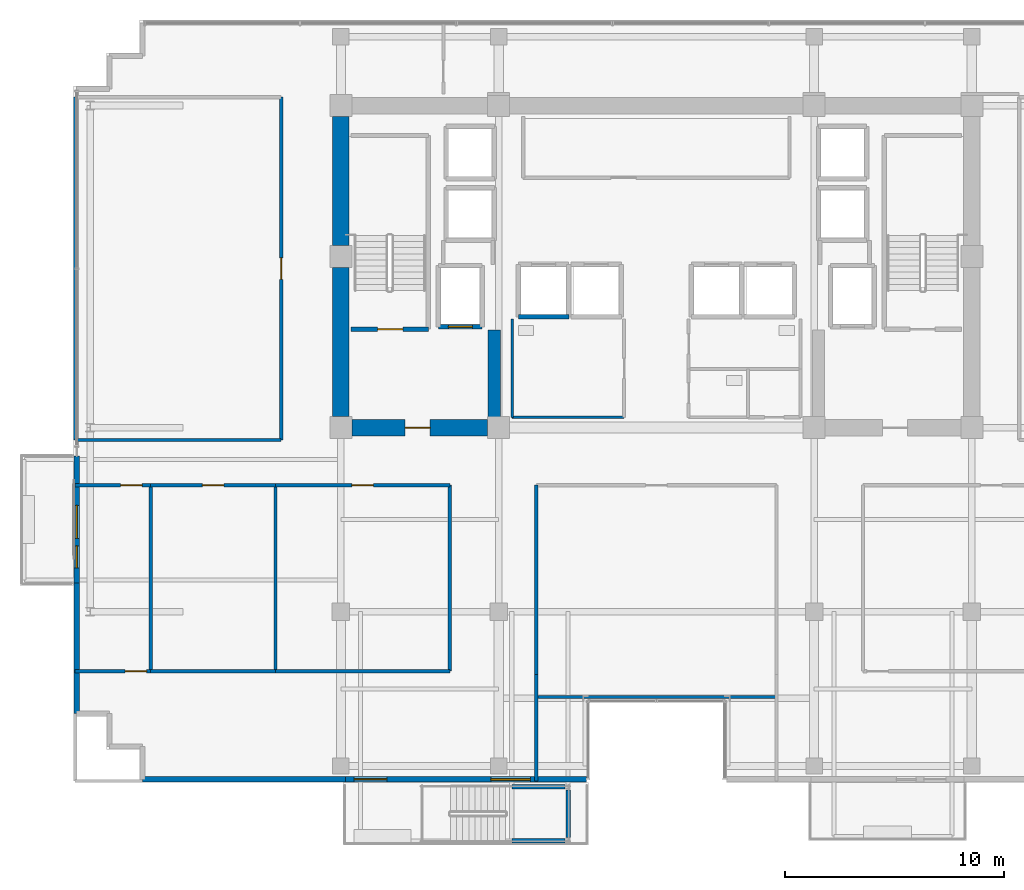
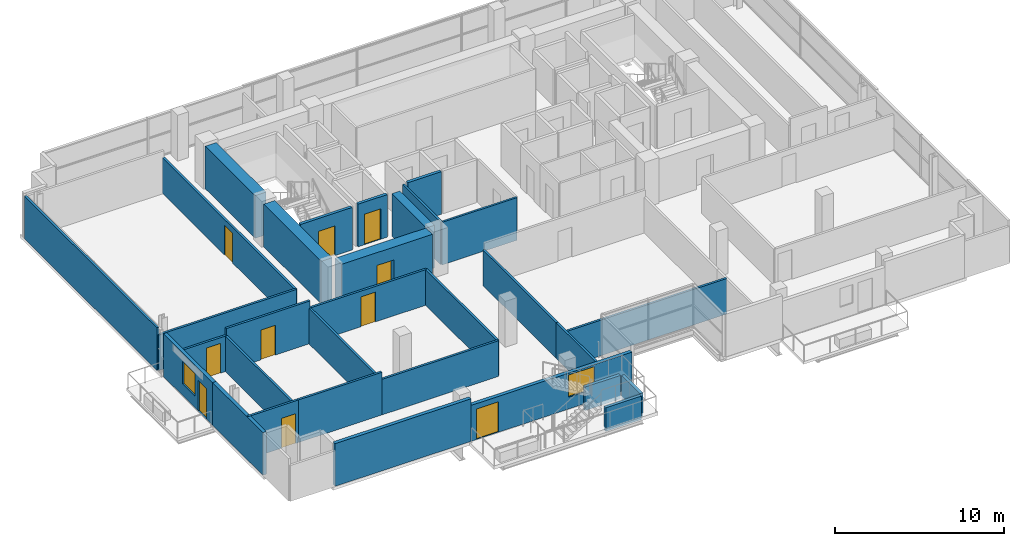
# One storey, part 16 of 23: 31 walls, 10 doors, 2 windows, 12 openings.
"""IFC4 building model written with IfcOpenShell, lengths in metres."""

import ifcopenshell
import ifcopenshell.guid

model = None  # the IFC model being written
_history = None  # IfcOwnerHistory: only IFC2X3 demands one
_inside = {}  # id of a spatial element -> (the spatial element, [elements in it])
_under = {}  # id of a project, library or spatial element -> (it, [spatial elements below it])
_declared = {}  # id of a project -> (the project, [libraries it declares])
_typed = {}  # id of a type object -> (the type object, [elements of that type])
_made_of = {}  # id of a material, layer set ... -> (it, [elements and type objects made of it])


def new_model(schema):
    """Start an empty IFC model of exactly this schema.

    Asked for "IFC4X3", IfcOpenShell would pick the latest addendum, in which some entities
    have other attributes; the version numbers below select the first issue.
    IFC2X3 requires an IfcOwnerHistory on every rooted entity: one is made here for all.
    """
    global model, _history
    if schema == "IFC4X3":
        model = ifcopenshell.file(schema_version=(4, 3, 0, 0))
    else:
        model = ifcopenshell.file(schema=schema)
    _inside.clear()
    _under.clear()
    _declared.clear()
    _typed.clear()
    _made_of.clear()
    _history = None
    if model.schema == "IFC2X3":
        org = make("IfcOrganization", Name="unknown")
        user = make(
            "IfcPersonAndOrganization",
            ThePerson=make("IfcPerson", FamilyName="unknown"),
            TheOrganization=org,
        )
        app = make(
            "IfcApplication",
            ApplicationDeveloper=org,
            Version="unknown",
            ApplicationFullName="unknown",
            ApplicationIdentifier="unknown",
        )
        _history = make(
            "IfcOwnerHistory",
            OwningUser=user,
            OwningApplication=app,
            ChangeAction="ADDED",
            CreationDate=0,
        )
    return model


def make(cls, **values):
    """One entity of the class cls with the attributes given. An attribute that is None is left unset."""
    return model.create_entity(
        cls, **{name: value for name, value in values.items() if value is not None}
    )


def rooted(cls, **values):
    """An entity with a GlobalId (a new one), such as an element, a storey or a relation."""
    return make(cls, GlobalId=ifcopenshell.guid.new(), OwnerHistory=_history, **values)


def si_unit(unit_type, name, prefix=None):
    """IfcSIUnit, for example si_unit("LENGTHUNIT", "METRE", prefix="MILLI")."""
    return make("IfcSIUnit", UnitType=unit_type, Prefix=prefix, Name=name)


def assignment(units):
    """IfcUnitAssignment: the units of a project."""
    return None if units is None else make("IfcUnitAssignment", Units=units)


def point(xyz):
    """IfcCartesianPoint."""
    return None if xyz is None else make("IfcCartesianPoint", Coordinates=xyz)


def direction(xyz):
    """IfcDirection."""
    return None if xyz is None else make("IfcDirection", DirectionRatios=xyz)


def frame(location, z_axis=None, x_axis=None):
    """IfcAxis2Placement3D, a coordinate frame: its origin and axes. An axis left out is left unset."""
    return make(
        "IfcAxis2Placement3D",
        Location=point(location),
        Axis=direction(z_axis),
        RefDirection=direction(x_axis),
    )


def frame_2d(location, x_axis=None):
    """IfcAxis2Placement2D, a coordinate frame in the plane: its origin and x axis."""
    return make(
        "IfcAxis2Placement2D", Location=point(location), RefDirection=direction(x_axis)
    )


def origin():
    """The frame at (0, 0, 0) with its axes left unset."""
    return frame((0.0, 0.0, 0.0))


def place(relative_to, where):
    """IfcLocalPlacement: puts the frame where relative to a parent placement (None: the world)."""
    return make(
        "IfcLocalPlacement", PlacementRelTo=relative_to, RelativePlacement=where
    )


def context(
    kind, dimensions, precision=None, world=None, true_north=None, identifier=None
):
    """IfcGeometricRepresentationContext, for example the 3D "Model" context."""
    return make(
        "IfcGeometricRepresentationContext",
        ContextIdentifier=identifier,
        ContextType=kind,
        CoordinateSpaceDimension=dimensions,
        Precision=precision,
        WorldCoordinateSystem=world,
        TrueNorth=true_north,
    )


def subcontext(parent, identifier, kind, view, scale=None):
    """IfcGeometricRepresentationSubContext, for example "Body" below "Model"."""
    return make(
        "IfcGeometricRepresentationSubContext",
        ContextIdentifier=identifier,
        ContextType=kind,
        ParentContext=parent,
        TargetScale=scale,
        TargetView=view,
    )


def project(units=None, contexts=None):
    """IfcProject with its units and contexts."""
    return rooted(
        "IfcProject",
        Name="project",
        RepresentationContexts=contexts,
        UnitsInContext=assignment(units),
    )


def spatial(cls, under=None, at=None, **own):
    """A site, building, storey or space (cls), placed at a placement, below another one or the project."""
    s = rooted(cls, ObjectPlacement=at, **own)
    if under is not None:
        _under.setdefault(under.id(), (under, []))[1].append(s)
    return s


def profile(cls, at=None, kind="AREA", **sizes):
    """A parametric profile (cls). Its sizes go by their IFC names, for example OverallWidth=200.0."""
    return make(cls, ProfileType=kind, Position=at, **sizes)


def rectangle(**sizes):
    """IfcRectangleProfileDef."""
    return profile("IfcRectangleProfileDef", **sizes)


def extrude(swept, where, along, depth):
    """IfcExtrudedAreaSolid: the profile swept, set in the frame where, extruded along a direction by depth."""
    return make(
        "IfcExtrudedAreaSolid",
        SweptArea=swept,
        Position=where,
        ExtrudedDirection=direction(along),
        Depth=depth,
    )


def shape(context_of_items, identifier, shape_type, items):
    """IfcShapeRepresentation: the items that make up one representation, for example the "Body"."""
    return make(
        "IfcShapeRepresentation",
        ContextOfItems=context_of_items,
        RepresentationIdentifier=identifier,
        RepresentationType=shape_type,
        Items=items,
    )


def source(mapping_origin, context_of_items, identifier, shape_type, items):
    """IfcRepresentationMap: a shape defined once, which mapped items show again and again."""
    return make(
        "IfcRepresentationMap",
        MappingOrigin=mapping_origin,
        MappedRepresentation=shape(context_of_items, identifier, shape_type, items),
    )


def transform(
    local_origin,
    x_axis=None,
    y_axis=None,
    z_axis=None,
    scale=None,
    scale2=None,
    scale3=None,
    uniform=True,
):
    """IfcCartesianTransformationOperator3D, or its non-uniform kind. x_axis, y_axis, z_axis: its Axis1, 2, 3."""
    if uniform:
        return make(
            "IfcCartesianTransformationOperator3D",
            Axis1=direction(x_axis),
            Axis2=direction(y_axis),
            LocalOrigin=point(local_origin),
            Scale=scale,
            Axis3=direction(z_axis),
        )
    return make(
        "IfcCartesianTransformationOperator3DnonUniform",
        Axis1=direction(x_axis),
        Axis2=direction(y_axis),
        LocalOrigin=point(local_origin),
        Scale=scale,
        Axis3=direction(z_axis),
        Scale2=scale2,
        Scale3=scale3,
    )


def mapped(mapping_source, mapping_target):
    """IfcMappedItem: shows the shape of a source again, moved by a transform."""
    return make(
        "IfcMappedItem", MappingSource=mapping_source, MappingTarget=mapping_target
    )


def material(Name=None, Category=None):
    """IfcMaterial."""
    return make("IfcMaterial", Name=Name, Category=Category)


def layer(
    of_material, thickness, ventilated=None, Name=None, Category=None, Priority=None
):
    """IfcMaterialLayer: one layer of a wall or slab, of a material (None: an air gap)."""
    return make(
        "IfcMaterialLayer",
        Material=of_material,
        LayerThickness=thickness,
        IsVentilated=ventilated,
        Name=Name,
        Category=Category,
        Priority=Priority,
    )


def layer_set(layers, Name=None):
    """IfcMaterialLayerSet."""
    return make("IfcMaterialLayerSet", MaterialLayers=layers, LayerSetName=Name)


def made_of(thing, what):
    """Note that an element or type object is made of a material, layer set ...; save() writes the relation."""
    if what is not None:
        _made_of.setdefault(what.id(), (what, []))[1].append(thing)
    return thing


def type_object(cls, material=None, **own):
    """A type object (cls), such as IfcWallType, which elements share."""
    return made_of(rooted(cls, **own), material)


def element(
    cls,
    number,
    at=None,
    inside=None,
    cuts=None,
    type_object=None,
    material=None,
    context=None,
    identifier="Body",
    shape_type=None,
    held_by="IfcProductDefinitionShape",
    body=None,
    shapes=None,
    **own,
):
    """One element of the class cls, such as IfcWall. Its Tag is "e" and its number.

    at: its placement. inside: the storey or other place that contains it. cuts: it is an
    opening in that element (IfcRelVoidsElement). A single representation is given by context,
    identifier, shape_type and body (its items); several are given by shapes. held_by: the class
    of the entity that holds the representations. save() writes the other relations.
    """
    e = rooted(cls, Tag="e%d" % number, ObjectPlacement=at, **own)
    if body is not None:
        shapes = [shape(context, identifier, shape_type, body)]
    if shapes is not None:
        e.Representation = make(held_by, Representations=shapes)
    if inside is not None:
        _inside.setdefault(inside.id(), (inside, []))[1].append(e)
    if cuts is not None:
        rooted(
            "IfcRelVoidsElement", RelatingBuildingElement=cuts, RelatedOpeningElement=e
        )
    if type_object is not None:
        _typed.setdefault(type_object.id(), (type_object, []))[1].append(e)
    return made_of(e, material)


def fill(opening, filler):
    """IfcRelFillsElement: the door or window that sits in an opening."""
    return rooted(
        "IfcRelFillsElement",
        RelatingOpeningElement=opening,
        RelatedBuildingElement=filler,
    )


def aggregate(whole, parts):
    """IfcRelAggregates: a whole, such as a stair, and the parts it consists of."""
    return rooted("IfcRelAggregates", RelatingObject=whole, RelatedObjects=parts)


def save(model, path):
    """Write the relations noted so far, then the file.

    IfcRelAggregates (storeys below a building ...), IfcRelContainedInSpatialStructure (elements
    in a storey), IfcRelDefinesByType, IfcRelAssociatesMaterial and IfcRelDeclares: one each for
    every whole, place, type object, material and project.
    """
    for whole, parts in _under.values():
        aggregate(whole, parts)
    for where, things in _inside.values():
        rooted(
            "IfcRelContainedInSpatialStructure",
            RelatedElements=things,
            RelatingStructure=where,
        )
    for kind, things in _typed.values():
        rooted("IfcRelDefinesByType", RelatedObjects=things, RelatingType=kind)
    for what, things in _made_of.values():
        rooted("IfcRelAssociatesMaterial", RelatedObjects=things, RelatingMaterial=what)
    for by, libraries in _declared.values():
        rooted("IfcRelDeclares", RelatingContext=by, RelatedDefinitions=libraries)
    model.write(path)


model = new_model("IFC4")

# Units and contexts
model_context = context("Model", 3, precision=1e-05, world=origin(), true_north=direction((0.0, 1.0)))
body_context = subcontext(model_context, "Body", "Model", "MODEL_VIEW")
ifc_project = project(units=[si_unit("LENGTHUNIT", "METRE"), si_unit("AREAUNIT", "SQUARE_METRE"), si_unit("VOLUMEUNIT", "CUBIC_METRE"), si_unit("PLANEANGLEUNIT", "RADIAN"), si_unit("MASSUNIT", "GRAM", prefix="KILO")], contexts=[model_context])

# Site, building, storey
site_placement = place(None, origin())
site = spatial("IfcSite", under=ifc_project, at=site_placement, CompositionType="ELEMENT")
building_placement = place(site_placement, origin())
building = spatial("IfcBuilding", under=site, at=building_placement, Name="Zarnakvel Exchange Tower", CompositionType="ELEMENT")
storey_placement = place(building_placement, frame((0.0, 0.0, 146.199951171875)))
storey = spatial("IfcBuildingStorey", under=building, at=storey_placement, Name="L40", CompositionType="ELEMENT", Elevation=146.199951171875)

# Walls
ifc_material_1 = material(Name="Concrete C60/75", Category="concrete")
ifc_layer_1 = layer(ifc_material_1, 0.75)
ifc_layer_set_1 = layer_set([ifc_layer_1], Name="Concrete C60/75")
wall_type_1 = type_object("IfcWallType", Name="CW-C3", PredefinedType="SHEAR", material=ifc_layer_set_1)
wall_1_placement = place(storey_placement, frame((-14.39990234375, -0.699951171875, 0.0), z_axis=(0.0, 0.0, 1.0), x_axis=(0.0, 1.0, 0.0)))
element("IfcWall", 1, at=wall_1_placement, inside=storey, type_object=wall_type_1, Name="L40 Rear Core Shear Wall W1 (CW-C3)", PredefinedType="SHEAR", context=body_context, shape_type="SweptSolid", body=[
    extrude(rectangle(XDim=6.800048828125, YDim=0.75, at=frame_2d((3.39990234375, 0.0))), origin(), (0.0, 0.0, 1.0), 3.074951171875),
])
wall_2_placement = place(storey_placement, frame((-14.39990234375, 7.10009765625, 0.0), z_axis=(0.0, 0.0, 1.0), x_axis=(0.0, 1.0, 0.0)))
element("IfcWall", 2, at=wall_2_placement, inside=storey, type_object=wall_type_1, Name="L40 Rear Core Shear Wall W2 (CW-C3)", PredefinedType="SHEAR", context=body_context, shape_type="SweptSolid", body=[
    extrude(rectangle(XDim=5.89990234375, YDim=0.75, at=frame_2d((2.949951171875, 0.0))), origin(), (0.0, 0.0, 1.0), 3.074951171875),
])

# Wall, opening, door
wall_3_placement = place(storey_placement, frame((-7.699951171875, -1.199951171875, 0.0), z_axis=(0.0, 0.0, 1.0), x_axis=(-1.0, 0.0, 0.0)))
wall_3 = element("IfcWall", 3, at=wall_3_placement, inside=storey, type_object=wall_type_1, Name="L40 Rear Core Shear Wall SW (CW-C3)", PredefinedType="SHEAR", context=body_context, shape_type="SweptSolid", body=[
    extrude(rectangle(XDim=6.199951171875, YDim=0.75, at=frame_2d((3.10009765625, 0.0))), origin(), (0.0, 0.0, 1.0), 3.074951171875),
])
opening_1_placement = place(wall_3_placement, frame((2.625, 0.0, 0.0)))
opening_1 = element("IfcOpeningElement", 4, at=opening_1_placement, cuts=wall_3, Name="Opening D-L40-03", PredefinedType="OPENING", context=body_context, shape_type="SweptSolid", body=[
    extrude(rectangle(XDim=1.14990234375, YDim=2.14990234375, at=frame_2d((0.574951171875, 1.074951171875))), frame((0.0, 0.385009765625, 0.0), z_axis=(0.0, -1.0, 0.0), x_axis=(1.0, 0.0, 0.0)), (0.0, 0.0, 1.0), 0.77001953125),
])
ifc_material_2 = material(Name="Painted Galvanised Steel S355", Category="steel")
door_type_1 = type_object("IfcDoorType", Name="DT-04", OperationType="NOTDEFINED", PredefinedType="DOOR", material=ifc_material_2)
shared_shape_1 = source(origin(), body_context, "Body", "SweptSolid", [
    extrude(rectangle(XDim=1.14990234375, YDim=2.14990234375, at=frame_2d((0.574951171875, 1.074951171875))), frame((0.0, 0.02490234375, 0.0), z_axis=(0.0, -1.0, 0.0), x_axis=(1.0, 0.0, 0.0)), (0.0, 0.0, 1.0), 0.050048828125),
])
door_1_placement = place(opening_1_placement, origin())
door_1 = element("IfcDoor", 5, at=door_1_placement, inside=storey, type_object=door_type_1, Name="L40 Firefighting Lobby West Door D-L40-03", OperationType="SINGLE_SWING_RIGHT", OverallHeight=2.14990234375, OverallWidth=1.14990234375, PredefinedType="DOOR", context=body_context, shape_type="MappedRepresentation", body=[
    mapped(shared_shape_1, transform((0.0, 0.0, 0.0), x_axis=(1.0, 0.0, 0.0), y_axis=(0.0, 1.0, 0.0), z_axis=(0.0, 0.0, 1.0), scale=1.0)),
])
fill(opening_1, door_1)

# Wall
ifc_layer_2 = layer(ifc_material_1, 0.550048828125)
ifc_layer_set_2 = layer_set([ifc_layer_2], Name="Concrete C60/75")
wall_type_2 = type_object("IfcWallType", Name="CW-C4", PredefinedType="SHEAR", material=ifc_layer_set_2)
wall_4_placement = place(storey_placement, frame((-7.39990234375, -0.824951171875, 0.0), z_axis=(0.0, 0.0, 1.0), x_axis=(0.0, 1.0, 0.0)))
element("IfcWall", 6, at=wall_4_placement, inside=storey, type_object=wall_type_2, Name="L40 Rear Core Shear Wall IW (CW-C4)", PredefinedType="SHEAR", context=body_context, shape_type="SweptSolid", body=[
    extrude(rectangle(XDim=4.074951171875, YDim=0.550048828125, at=frame_2d((2.03759765625, 0.0))), origin(), (0.0, 0.0, 1.0), 3.074951171875),
])

# Wall, openings, door, window
ifc_material_3 = material(Name="Precast concrete C40/50", Category="concrete")
ifc_layer_3 = layer(ifc_material_3, 0.239990234375)
ifc_layer_set_3 = layer_set([ifc_layer_3], Name="Precast concrete C40/50")
wall_type_3 = type_object("IfcWallType", Name="EW-02", PredefinedType="SOLIDWALL", material=ifc_layer_set_3)
wall_5_placement = place(storey_placement, frame((-26.4599609375, -8.300048828125, 0.0), z_axis=(0.0, 0.0, 1.0), x_axis=(0.0, 1.0, 0.0)))
wall_5 = element("IfcWall", 7, at=wall_5_placement, inside=storey, type_object=wall_type_3, Name="L40 Exterior Precast Spandrel Wall EW-BAL-L40-W (EW-02)", PredefinedType="SOLIDWALL", context=body_context, shape_type="SweptSolid", body=[
    extrude(rectangle(XDim=5.800048828125, YDim=0.239990234375, at=frame_2d((2.89990234375, 0.0))), origin(), (0.0, 0.0, 1.0), 3.074951171875),
])
opening_2_placement = place(wall_5_placement, frame((0.696044921875, 0.0, 0.0)))
opening_2 = element("IfcOpeningElement", 8, at=opening_2_placement, cuts=wall_5, Name="Opening BD-L40-02", PredefinedType="OPENING", context=body_context, shape_type="SweptSolid", body=[
    extrude(rectangle(XDim=1.0, YDim=2.199951171875, at=frame_2d((0.5, 1.10009765625))), frame((0.0, 0.1298828125, 0.0), z_axis=(0.0, -1.0, 0.0), x_axis=(1.0, 0.0, 0.0)), (0.0, 0.0, 1.0), 0.260009765625),
])
opening_3_placement = place(wall_5_placement, frame((2.0458984375, 0.0, 0.85009765625)))
opening_3 = element("IfcOpeningElement", 9, at=opening_3_placement, cuts=wall_5, Name="Opening WN-03", PredefinedType="OPENING", context=body_context, shape_type="SweptSolid", body=[
    extrude(rectangle(XDim=1.5, YDim=1.60009765625, at=frame_2d((0.75, 0.800048828125))), frame((0.0, 0.1298828125, 0.0), z_axis=(0.0, -1.0, 0.0), x_axis=(1.0, 0.0, 0.0)), (0.0, 0.0, 1.0), 0.260009765625),
])
ifc_material_4 = material(Name="Architectural Bronze Anodised Aluminium", Category="aluminium")
door_type_2 = type_object("IfcDoorType", Name="DT-09", OperationType="NOTDEFINED", PredefinedType="DOOR", material=ifc_material_4)
shared_shape_2 = source(origin(), body_context, "Body", "SweptSolid", [
    extrude(rectangle(XDim=1.0, YDim=2.199951171875, at=frame_2d((0.5, 1.10009765625))), frame((0.0, 0.02490234375, 0.0), z_axis=(0.0, -1.0, 0.0), x_axis=(1.0, 0.0, 0.0)), (0.0, 0.0, 1.0), 0.050048828125),
])
door_2_placement = place(opening_2_placement, origin())
door_2 = element("IfcDoor", 10, at=door_2_placement, inside=storey, type_object=door_type_2, Name="L40 Planted Loggia Balcony Door BD-L40-02", OperationType="SINGLE_SWING_LEFT", OverallHeight=2.199951171875, OverallWidth=1.0, PredefinedType="DOOR", context=body_context, shape_type="MappedRepresentation", body=[
    mapped(shared_shape_2, transform((0.0, 0.0, 0.0), x_axis=(1.0, 0.0, 0.0), y_axis=(0.0, 1.0, 0.0), z_axis=(0.0, 0.0, 1.0), scale=1.0)),
])
fill(opening_2, door_2)
ifc_material_5 = material(Name="Double Low-E Laminated Vision Glass", Category="glass")
window_type_1 = type_object("IfcWindowType", Name="WN-03", PartitioningType="SINGLE_PANEL", PredefinedType="WINDOW", material=ifc_material_5)
shared_shape_3 = source(origin(), body_context, "Body", "SweptSolid", [
    extrude(rectangle(XDim=1.5, YDim=1.60009765625, at=frame_2d((0.75, 0.800048828125))), frame((0.0, 0.030029296875, 0.0), z_axis=(0.0, -1.0, 0.0), x_axis=(1.0, 0.0, 0.0)), (0.0, 0.0, 1.0), 0.06005859375),
])
window_1_placement = place(opening_3_placement, origin())
window_1 = element("IfcWindow", 11, at=window_1_placement, inside=storey, type_object=window_type_1, Name="L40 Loggia Daylight Window (WN-03)", OverallHeight=1.60009765625, OverallWidth=1.5, PartitioningType="SINGLE_PANEL", PredefinedType="WINDOW", context=body_context, shape_type="MappedRepresentation", body=[
    mapped(shared_shape_3, transform((0.0, 0.0, 0.0), x_axis=(1.0, 0.0, 0.0), y_axis=(0.0, 1.0, 0.0), z_axis=(0.0, 0.0, 1.0), scale=1.0)),
])
fill(opening_3, window_1)

wall_6_placement = place(storey_placement, frame((-3.199951171875, -17.260009765625, 0.0), z_axis=(0.0, 0.0, 1.0), x_axis=(-1.0, 0.0, 0.0)))
wall_6 = element("IfcWall", 12, at=wall_6_placement, inside=storey, type_object=wall_type_3, Name="L40 Exterior Precast Spandrel Wall EW-SPTER-L40 (EW-02)", PredefinedType="SOLIDWALL", context=body_context, shape_type="SweptSolid", body=[
    extrude(rectangle(XDim=11.0, YDim=0.239990234375, at=frame_2d((5.5, 0.0))), origin(), (0.0, 0.0, 1.0), 2.590087890625),
])
opening_4_placement = place(wall_6_placement, frame((9.10009765625, 0.0, 0.0)))
opening_4 = element("IfcOpeningElement", 13, at=opening_4_placement, cuts=wall_6, Name="Opening TD-L40-SP", PredefinedType="OPENING", context=body_context, shape_type="SweptSolid", body=[
    extrude(rectangle(XDim=1.5, YDim=2.199951171875, at=frame_2d((0.75, 1.10009765625))), frame((0.0, 0.1298828125, 0.0), z_axis=(0.0, -1.0, 0.0), x_axis=(1.0, 0.0, 0.0)), (0.0, 0.0, 1.0), 0.260009765625),
])
opening_5_placement = place(wall_6_placement, frame((2.550048828125, 0.0, 0.85009765625)))
opening_5 = element("IfcOpeningElement", 14, at=opening_5_placement, cuts=wall_6, Name="Opening WN-05", PredefinedType="OPENING", context=body_context, shape_type="SweptSolid", body=[
    extrude(rectangle(XDim=1.800048828125, YDim=1.60009765625, at=frame_2d((0.89990234375, 0.800048828125))), frame((0.0, 0.1298828125, 0.0), z_axis=(0.0, -1.0, 0.0), x_axis=(1.0, 0.0, 0.0)), (0.0, 0.0, 1.0), 0.260009765625),
])
door_type_3 = type_object("IfcDoorType", Name="DT-10", OperationType="NOTDEFINED", PredefinedType="DOOR", material=ifc_material_4)
shared_shape_4 = source(origin(), body_context, "Body", "SweptSolid", [
    extrude(rectangle(XDim=1.5, YDim=2.199951171875, at=frame_2d((0.75, 1.10009765625))), frame((0.0, 0.02490234375, 0.0), z_axis=(0.0, -1.0, 0.0), x_axis=(1.0, 0.0, 0.0)), (0.0, 0.0, 1.0), 0.050048828125),
])
door_3_placement = place(opening_4_placement, origin())
door_3 = element("IfcDoor", 15, at=door_3_placement, inside=storey, type_object=door_type_3, Name="L40 Spiral Sky-Terrace Access Door TD-L40-SP", OperationType="DOUBLE_DOOR_SINGLE_SWING", OverallHeight=2.199951171875, OverallWidth=1.5, PredefinedType="DOOR", context=body_context, shape_type="MappedRepresentation", body=[
    mapped(shared_shape_4, transform((0.0, 0.0, 0.0), x_axis=(1.0, 0.0, 0.0), y_axis=(0.0, 1.0, 0.0), z_axis=(0.0, 0.0, 1.0), scale=1.0)),
])
fill(opening_4, door_3)
window_type_2 = type_object("IfcWindowType", Name="WN-05", PartitioningType="SINGLE_PANEL", PredefinedType="WINDOW", material=ifc_material_5)
shared_shape_5 = source(origin(), body_context, "Body", "SweptSolid", [
    extrude(rectangle(XDim=1.800048828125, YDim=1.60009765625, at=frame_2d((0.89990234375, 0.800048828125))), frame((0.0, 0.030029296875, 0.0), z_axis=(0.0, -1.0, 0.0), x_axis=(1.0, 0.0, 0.0)), (0.0, 0.0, 1.0), 0.06005859375),
])
window_2_placement = place(opening_5_placement, origin())
window_2 = element("IfcWindow", 16, at=window_2_placement, inside=storey, type_object=window_type_2, Name="L40 Spiral Sky-Terrace Lounge Window", OverallHeight=1.60009765625, OverallWidth=1.800048828125, PartitioningType="SINGLE_PANEL", PredefinedType="WINDOW", context=body_context, shape_type="MappedRepresentation", body=[
    mapped(shared_shape_5, transform((0.0, 0.0, 0.0), x_axis=(1.0, 0.0, 0.0), y_axis=(0.0, 1.0, 0.0), z_axis=(0.0, 0.0, 1.0), scale=1.0)),
])
fill(opening_5, window_2)

# Walls
wall_7_placement = place(storey_placement, frame((-26.4599609375, -8.300048828125, 0.0), z_axis=(0.0, 0.0, 1.0), x_axis=(0.0, -1.0, 0.0)))
element("IfcWall", 17, at=wall_7_placement, inside=storey, type_object=wall_type_3, Name="L40 Exterior Precast Spandrel Wall EWC-L40-01 (EW-02)", PredefinedType="SOLIDWALL", context=body_context, shape_type="SweptSolid", body=[
    extrude(rectangle(XDim=5.9599609375, YDim=0.239990234375, at=frame_2d((2.97998046875, 0.0))), origin(), (0.0, 0.0, 1.0), 3.074951171875),
])
wall_8_placement = place(storey_placement, frame((-23.4599609375, -17.260009765625, 0.0), z_axis=(0.0, 0.0, 1.0), x_axis=(1.0, 0.0, 0.0)))
element("IfcWall", 18, at=wall_8_placement, inside=storey, type_object=wall_type_3, Name="L40 Exterior Precast Spandrel Wall EWC-L40-21 (EW-02)", PredefinedType="SOLIDWALL", context=body_context, shape_type="SweptSolid", body=[
    extrude(rectangle(XDim=9.260009765625, YDim=0.239990234375, at=frame_2d((4.6298828125, 0.0))), origin(), (0.0, 0.0, 1.0), 3.074951171875),
])

# Wall, opening, door
ifc_material_6 = material(Name="Fire-Rated Gypsum Stud Partition", Category="gypsum")
ifc_layer_4 = layer(ifc_material_6, 0.14990234375)
ifc_layer_set_4 = layer_set([ifc_layer_4], Name="Fire-Rated Gypsum Stud Partition")
wall_type_4 = type_object("IfcWallType", Name="PT-01", PredefinedType="PARTITIONING", material=ifc_layer_set_4)
wall_9_placement = place(storey_placement, frame((-23.0869140625, -12.320068359375, 0.0), z_axis=(0.0, 0.0, 1.0), x_axis=(-1.0, 0.0, 0.0)))
wall_9 = element("IfcWall", 19, at=wall_9_placement, inside=storey, type_object=wall_type_4, Name="L40 Partition Wall PWALL-L40-025 (PT-01)", PredefinedType="PARTITIONING", context=body_context, shape_type="SweptSolid", body=[
    extrude(rectangle(XDim=3.443115234375, YDim=0.14990234375, at=frame_2d((1.7216796875, 0.0))), origin(), (0.0, 0.0, 1.0), 3.074951171875),
])
opening_6_placement = place(wall_9_placement, frame((0.179931640625, 0.0, 0.0)))
opening_6 = element("IfcOpeningElement", 20, at=opening_6_placement, cuts=wall_9, Name="Opening D-L40-13", PredefinedType="OPENING", context=body_context, shape_type="SweptSolid", body=[
    extrude(rectangle(XDim=0.97998046875, YDim=2.14990234375, at=frame_2d((0.489990234375, 1.074951171875))), frame((0.0, 0.0849609375, 0.0), z_axis=(0.0, -1.0, 0.0), x_axis=(1.0, 0.0, 0.0)), (0.0, 0.0, 1.0), 0.169921875),
])
ifc_material_7 = material(Name="Timber Acoustic Veneer", Category="wood")
door_type_4 = type_object("IfcDoorType", Name="DT-05", OperationType="NOTDEFINED", PredefinedType="DOOR", material=ifc_material_7)
shared_shape_6 = source(origin(), body_context, "Body", "SweptSolid", [
    extrude(rectangle(XDim=0.97998046875, YDim=2.14990234375, at=frame_2d((0.489990234375, 1.074951171875))), frame((0.0, 0.02490234375, 0.0), z_axis=(0.0, -1.0, 0.0), x_axis=(1.0, 0.0, 0.0)), (0.0, 0.0, 1.0), 0.050048828125),
])
door_4_placement = place(opening_6_placement, origin())
door_4 = element("IfcDoor", 21, at=door_4_placement, inside=storey, type_object=door_type_4, Name="L40 Sky Lobby Concourse Door D-L40-13", OperationType="SINGLE_SWING_RIGHT", OverallHeight=2.14990234375, OverallWidth=0.97998046875, PredefinedType="DOOR", context=body_context, shape_type="MappedRepresentation", body=[
    mapped(shared_shape_6, transform((0.0, 0.0, 0.0), x_axis=(1.0, 0.0, 0.0), y_axis=(0.0, 1.0, 0.0), z_axis=(0.0, 0.0, 1.0), scale=1.0)),
])
fill(opening_6, door_4)

wall_10_placement = place(storey_placement, frame((-26.530029296875, -3.830078125, 0.0), z_axis=(0.0, 0.0, 1.0), x_axis=(1.0, 0.0, 0.0)))
wall_10 = element("IfcWall", 22, at=wall_10_placement, inside=storey, type_object=wall_type_4, Name="L40 Partition Wall PWALL-L40-026 (PT-01)", PredefinedType="PARTITIONING", context=body_context, shape_type="SweptSolid", body=[
    extrude(rectangle(XDim=3.443115234375, YDim=0.14990234375, at=frame_2d((1.7216796875, 0.0))), origin(), (0.0, 0.0, 1.0), 2.56494140625),
])
opening_7_placement = place(wall_10_placement, frame((2.072998046875, 0.0, 0.0)))
opening_7 = element("IfcOpeningElement", 23, at=opening_7_placement, cuts=wall_10, Name="Opening D-L40-10", PredefinedType="OPENING", context=body_context, shape_type="SweptSolid", body=[
    extrude(rectangle(XDim=0.97998046875, YDim=2.14990234375, at=frame_2d((0.489990234375, 1.074951171875))), frame((0.0, 0.0849609375, 0.0), z_axis=(0.0, -1.0, 0.0), x_axis=(1.0, 0.0, 0.0)), (0.0, 0.0, 1.0), 0.169921875),
])
door_5_placement = place(opening_7_placement, origin())
door_5 = element("IfcDoor", 24, at=door_5_placement, inside=storey, type_object=door_type_4, Name="L40 Sky Lobby Concourse Door D-L40-10", OperationType="SINGLE_SWING_LEFT", OverallHeight=2.14990234375, OverallWidth=0.97998046875, PredefinedType="DOOR", context=body_context, shape_type="MappedRepresentation", body=[
    mapped(shared_shape_6, transform((0.0, 0.0, 0.0), x_axis=(1.0, 0.0, 0.0), y_axis=(0.0, 1.0, 0.0), z_axis=(0.0, 0.0, 1.0), scale=1.0)),
])
fill(opening_7, door_5)

# Walls
wall_11_placement = place(storey_placement, frame((-23.0869140625, -3.830078125, 0.0), z_axis=(0.0, 0.0, 1.0), x_axis=(0.0, -1.0, 0.0)))
element("IfcWall", 25, at=wall_11_placement, inside=storey, type_object=wall_type_4, Name="L40 Partition Wall PWALL-L40-028 (PT-01)", PredefinedType="PARTITIONING", context=body_context, shape_type="SweptSolid", body=[
    extrude(rectangle(XDim=8.489990234375, YDim=0.14990234375, at=frame_2d((4.2451171875, 0.0))), origin(), (0.0, 0.0, 1.0), 2.56494140625),
])
wall_12_placement = place(storey_placement, frame((-17.386962890625, -12.320068359375, 0.0), z_axis=(0.0, 0.0, 1.0), x_axis=(-1.0, 0.0, 0.0)))
element("IfcWall", 26, at=wall_12_placement, inside=storey, type_object=wall_type_4, Name="L40 Partition Wall PWALL-L40-029 (PT-01)", PredefinedType="PARTITIONING", context=body_context, shape_type="SweptSolid", body=[
    extrude(rectangle(XDim=5.699951171875, YDim=0.14990234375, at=frame_2d((2.85009765625, 0.0))), origin(), (0.0, 0.0, 1.0), 3.074951171875),
])

# Wall, opening, door
wall_13_placement = place(storey_placement, frame((-23.0869140625, -3.830078125, 0.0), z_axis=(0.0, 0.0, 1.0), x_axis=(1.0, 0.0, 0.0)))
wall_13 = element("IfcWall", 27, at=wall_13_placement, inside=storey, type_object=wall_type_4, Name="L40 Partition Wall PWALL-L40-030 (PT-01)", PredefinedType="PARTITIONING", context=body_context, shape_type="SweptSolid", body=[
    extrude(rectangle(XDim=5.699951171875, YDim=0.14990234375, at=frame_2d((2.85009765625, 0.0))), origin(), (0.0, 0.0, 1.0), 3.074951171875),
])
opening_8_placement = place(wall_13_placement, frame((2.360107421875, 0.0, 0.0)))
opening_8 = element("IfcOpeningElement", 28, at=opening_8_placement, cuts=wall_13, Name="Opening D-L40-11", PredefinedType="OPENING", context=body_context, shape_type="SweptSolid", body=[
    extrude(rectangle(XDim=0.97998046875, YDim=2.14990234375, at=frame_2d((0.489990234375, 1.074951171875))), frame((0.0, 0.0849609375, 0.0), z_axis=(0.0, -1.0, 0.0), x_axis=(1.0, 0.0, 0.0)), (0.0, 0.0, 1.0), 0.169921875),
])
door_6_placement = place(opening_8_placement, origin())
door_6 = element("IfcDoor", 29, at=door_6_placement, inside=storey, type_object=door_type_4, Name="L40 Members Club Lounge Door D-L40-11", OperationType="SINGLE_SWING_RIGHT", OverallHeight=2.14990234375, OverallWidth=0.97998046875, PredefinedType="DOOR", context=body_context, shape_type="MappedRepresentation", body=[
    mapped(shared_shape_6, transform((0.0, 0.0, 0.0), x_axis=(1.0, 0.0, 0.0), y_axis=(0.0, 1.0, 0.0), z_axis=(0.0, 0.0, 1.0), scale=1.0)),
])
fill(opening_8, door_6)

# Walls
wall_14_placement = place(storey_placement, frame((-17.386962890625, -3.830078125, 0.0), z_axis=(0.0, 0.0, 1.0), x_axis=(0.0, -1.0, 0.0)))
element("IfcWall", 30, at=wall_14_placement, inside=storey, type_object=wall_type_4, Name="L40 Partition Wall PWALL-L40-031 (PT-01)", PredefinedType="PARTITIONING", context=body_context, shape_type="SweptSolid", body=[
    extrude(rectangle(XDim=8.489990234375, YDim=0.14990234375, at=frame_2d((4.2451171875, 0.0))), origin(), (0.0, 0.0, 1.0), 2.56494140625),
])
wall_15_placement = place(storey_placement, frame((-9.429931640625, -12.320068359375, 0.0), z_axis=(0.0, 0.0, 1.0), x_axis=(-1.0, 0.0, 0.0)))
element("IfcWall", 31, at=wall_15_placement, inside=storey, type_object=wall_type_4, Name="L40 Partition Wall PWALL-L40-032 (PT-01)", PredefinedType="PARTITIONING", context=body_context, shape_type="SweptSolid", body=[
    extrude(rectangle(XDim=7.95703125, YDim=0.14990234375, at=frame_2d((3.978515625, 0.0))), origin(), (0.0, 0.0, 1.0), 2.56494140625),
])

# Wall, opening, door
wall_16_placement = place(storey_placement, frame((-17.386962890625, -3.830078125, 0.0), z_axis=(0.0, 0.0, 1.0), x_axis=(1.0, 0.0, 0.0)))
wall_16 = element("IfcWall", 32, at=wall_16_placement, inside=storey, type_object=wall_type_4, Name="L40 Partition Wall PWALL-L40-033 (PT-01)", PredefinedType="PARTITIONING", context=body_context, shape_type="SweptSolid", body=[
    extrude(rectangle(XDim=7.95703125, YDim=0.14990234375, at=frame_2d((3.978515625, 0.0))), origin(), (0.0, 0.0, 1.0), 2.56494140625),
])
opening_9_placement = place(wall_16_placement, frame((3.488037109375, 0.0, 0.0)))
opening_9 = element("IfcOpeningElement", 33, at=opening_9_placement, cuts=wall_16, Name="Opening D-L40-12", PredefinedType="OPENING", context=body_context, shape_type="SweptSolid", body=[
    extrude(rectangle(XDim=0.97998046875, YDim=2.14990234375, at=frame_2d((0.489990234375, 1.074951171875))), frame((0.0, 0.0849609375, 0.0), z_axis=(0.0, -1.0, 0.0), x_axis=(1.0, 0.0, 0.0)), (0.0, 0.0, 1.0), 0.169921875),
])
door_7_placement = place(opening_9_placement, origin())
door_7 = element("IfcDoor", 34, at=door_7_placement, inside=storey, type_object=door_type_4, Name="L40 Executive Conference Room Door D-L40-12", OperationType="SINGLE_SWING_LEFT", OverallHeight=2.14990234375, OverallWidth=0.97998046875, PredefinedType="DOOR", context=body_context, shape_type="MappedRepresentation", body=[
    mapped(shared_shape_6, transform((0.0, 0.0, 0.0), x_axis=(1.0, 0.0, 0.0), y_axis=(0.0, 1.0, 0.0), z_axis=(0.0, 0.0, 1.0), scale=1.0)),
])
fill(opening_9, door_7)

# Walls
wall_17_placement = place(storey_placement, frame((-9.429931640625, -3.830078125, 0.0), z_axis=(0.0, 0.0, 1.0), x_axis=(0.0, -1.0, 0.0)))
element("IfcWall", 35, at=wall_17_placement, inside=storey, type_object=wall_type_4, Name="L40 Partition Wall PWALL-L40-034 (PT-01)", PredefinedType="PARTITIONING", context=body_context, shape_type="SweptSolid", body=[
    extrude(rectangle(XDim=8.489990234375, YDim=0.14990234375, at=frame_2d((4.2451171875, 0.0))), origin(), (0.0, 0.0, 1.0), 2.56494140625),
])
wall_18_placement = place(storey_placement, frame((-5.47998046875, -12.47998046875, 0.0), z_axis=(0.0, 0.0, 1.0), x_axis=(0.0, -1.0, 0.0)))
element("IfcWall", 36, at=wall_18_placement, inside=storey, type_object=wall_type_4, Name="L40 Partition Wall PWALL-L40-037 (PT-01)", PredefinedType="PARTITIONING", context=body_context, shape_type="SweptSolid", body=[
    extrude(rectangle(XDim=4.85009765625, YDim=0.14990234375, at=frame_2d((2.425048828125, 0.0))), origin(), (0.0, 0.0, 1.0), 2.56494140625),
])
wall_19_placement = place(storey_placement, frame((5.47998046875, -13.5, 0.0), z_axis=(0.0, 0.0, 1.0), x_axis=(-1.0, 0.0, 0.0)))
element("IfcWall", 37, at=wall_19_placement, inside=storey, type_object=wall_type_4, Name="L40 Partition Wall PWALL-L40-045 (PT-01)", PredefinedType="PARTITIONING", context=body_context, shape_type="SweptSolid", body=[
    extrude(rectangle(XDim=10.9599609375, YDim=0.14990234375, at=frame_2d((5.47998046875, 0.0))), origin(), (0.0, 0.0, 1.0), 2.56494140625),
])
wall_20_placement = place(storey_placement, frame((-5.47998046875, -12.47998046875, 0.0), z_axis=(0.0, 0.0, 1.0), x_axis=(0.0, 1.0, 0.0)))
element("IfcWall", 38, at=wall_20_placement, inside=storey, type_object=wall_type_4, Name="L40 Partition Wall PWALL-L40-047 (PT-01)", PredefinedType="PARTITIONING", context=body_context, shape_type="SweptSolid", body=[
    extrude(rectangle(XDim=8.64990234375, YDim=0.14990234375, at=frame_2d((4.324951171875, 0.0))), origin(), (0.0, 0.0, 1.0), 2.56494140625),
])
wall_21_placement = place(storey_placement, frame((-17.1298828125, -1.77001953125, 0.0), z_axis=(0.0, 0.0, 1.0), x_axis=(-1.0, 0.0, 0.0)))
element("IfcWall", 39, at=wall_21_placement, inside=storey, type_object=wall_type_4, Name="L40 Partition Wall PWALL-L40-049 (PT-01)", PredefinedType="PARTITIONING", context=body_context, shape_type="SweptSolid", body=[
    extrude(rectangle(XDim=9.400146484375, YDim=0.14990234375, at=frame_2d((4.7001953125, 0.0))), origin(), (0.0, 0.0, 1.0), 2.56494140625),
])
wall_22_placement = place(storey_placement, frame((-26.530029296875, -1.77001953125, 0.0), z_axis=(0.0, 0.0, 1.0), x_axis=(0.0, 1.0, 0.0)))
element("IfcWall", 40, at=wall_22_placement, inside=storey, type_object=wall_type_4, Name="L40 Partition Wall PWALL-L40-051 (PT-01)", PredefinedType="PARTITIONING", context=body_context, shape_type="SweptSolid", body=[
    extrude(rectangle(XDim=15.64990234375, YDim=0.14990234375, at=frame_2d((7.824951171875, 0.0))), origin(), (0.0, 0.0, 1.0), 3.074951171875),
])

# Wall, opening, door
wall_23_placement = place(storey_placement, frame((-17.1298828125, 13.8798828125, 0.0), z_axis=(0.0, 0.0, 1.0), x_axis=(0.0, -1.0, 0.0)))
wall_23 = element("IfcWall", 41, at=wall_23_placement, inside=storey, type_object=wall_type_4, Name="L40 Partition Wall PWALL-L40-052 (PT-01)", PredefinedType="PARTITIONING", context=body_context, shape_type="SweptSolid", body=[
    extrude(rectangle(XDim=15.64990234375, YDim=0.14990234375, at=frame_2d((7.824951171875, 0.0))), origin(), (0.0, 0.0, 1.0), 2.56494140625),
])
opening_10_placement = place(wall_23_placement, frame((7.3349609375, 0.0, 0.0)))
opening_10 = element("IfcOpeningElement", 42, at=opening_10_placement, cuts=wall_23, Name="Opening D-L40-17", PredefinedType="OPENING", context=body_context, shape_type="SweptSolid", body=[
    extrude(rectangle(XDim=0.97998046875, YDim=2.14990234375, at=frame_2d((0.489990234375, 1.074951171875))), frame((0.0, 0.0849609375, 0.0), z_axis=(0.0, -1.0, 0.0), x_axis=(1.0, 0.0, 0.0)), (0.0, 0.0, 1.0), 0.169921875),
])
door_8_placement = place(opening_10_placement, origin())
door_8 = element("IfcDoor", 43, at=door_8_placement, inside=storey, type_object=door_type_4, Name="L40 Client Reception Suite Door D-L40-17", OperationType="SINGLE_SWING_RIGHT", OverallHeight=2.14990234375, OverallWidth=0.97998046875, PredefinedType="DOOR", context=body_context, shape_type="MappedRepresentation", body=[
    mapped(shared_shape_6, transform((0.0, 0.0, 0.0), x_axis=(1.0, 0.0, 0.0), y_axis=(0.0, 1.0, 0.0), z_axis=(0.0, 0.0, 1.0), scale=1.0)),
])
fill(opening_10, door_8)

# Walls
ifc_material_8 = material(Name="Moisture-Resistant Tile-Faced Partition", Category="gypsum")
ifc_layer_5 = layer(ifc_material_8, 0.135009765625)
ifc_layer_set_5 = layer_set([ifc_layer_5], Name="Moisture-Resistant Tile-Faced Partition")
wall_type_5 = type_object("IfcWallType", Name="PT-03", PredefinedType="PARTITIONING", material=ifc_layer_set_5)
wall_24_placement = place(storey_placement, frame((-1.469970703125, -0.72998046875, 0.0), z_axis=(0.0, 0.0, 1.0), x_axis=(-1.0, 0.0, 0.0)))
element("IfcWall", 44, at=wall_24_placement, inside=storey, type_object=wall_type_5, Name="L40 Partition Wall PWALL-L40-014 (PT-03)", PredefinedType="PARTITIONING", context=body_context, shape_type="SweptSolid", body=[
    extrude(rectangle(XDim=5.110107421875, YDim=0.135009765625, at=frame_2d((2.55517578125, 0.0))), origin(), (0.0, 0.0, 1.0), 3.074951171875),
])
wall_25_placement = place(storey_placement, frame((-6.580078125, -0.72998046875, 0.0), z_axis=(0.0, 0.0, 1.0), x_axis=(0.0, 1.0, 0.0)))
element("IfcWall", 45, at=wall_25_placement, inside=storey, type_object=wall_type_5, Name="L40 Partition Wall PWALL-L40-015 (PT-03)", PredefinedType="PARTITIONING", context=body_context, shape_type="SweptSolid", body=[
    extrude(rectangle(XDim=4.489990234375, YDim=0.135009765625, at=frame_2d((2.2451171875, 0.0))), origin(), (0.0, 0.0, 1.0), 3.074951171875),
])

# Wall, opening, door
ifc_material_9 = material(Name="Concrete C40/50", Category="concrete")
ifc_layer_6 = layer(ifc_material_9, 0.199951171875)
ifc_layer_set_6 = layer_set([ifc_layer_6], Name="Concrete C40/50")
wall_type_6 = type_object("IfcWallType", Name="SW-01", PredefinedType="SOLIDWALL", material=ifc_layer_set_6)
wall_26_placement = place(storey_placement, frame((-7.949951171875, 3.39990234375, 0.0), z_axis=(0.0, 0.0, 1.0), x_axis=(-1.0, 0.0, 0.0)))
wall_26 = element("IfcWall", 46, at=wall_26_placement, inside=storey, type_object=wall_type_6, Name="L40 FL-01 Hoistway Wall South", PredefinedType="SOLIDWALL", context=body_context, shape_type="SweptSolid", body=[
    extrude(rectangle(XDim=2.0, YDim=0.199951171875, at=frame_2d((1.0, 0.0))), origin(), (0.0, 0.0, 1.0), 3.074951171875),
])
opening_11_placement = place(wall_26_placement, frame((0.449951171875, 0.0, 0.0)))
opening_11 = element("IfcOpeningElement", 47, at=opening_11_placement, cuts=wall_26, Name="Opening LD-FL-01-L40", PredefinedType="OPENING", context=body_context, shape_type="SweptSolid", body=[
    extrude(rectangle(XDim=1.10009765625, YDim=2.199951171875, at=frame_2d((0.550048828125, 1.10009765625))), frame((0.0, 0.10986328125, 0.0), z_axis=(0.0, -1.0, 0.0), x_axis=(1.0, 0.0, 0.0)), (0.0, 0.0, 1.0), 0.219970703125),
])
ifc_material_10 = material(Name="Brushed Stainless Steel", Category="steel")
door_type_5 = type_object("IfcDoorType", Name="LDT-01", OperationType="NOTDEFINED", PredefinedType="DOOR", material=ifc_material_10)
shared_shape_7 = source(origin(), body_context, "Body", "SweptSolid", [
    extrude(rectangle(XDim=1.10009765625, YDim=2.199951171875, at=frame_2d((0.550048828125, 1.10009765625))), frame((0.0, 0.02490234375, 0.0), z_axis=(0.0, -1.0, 0.0), x_axis=(1.0, 0.0, 0.0)), (0.0, 0.0, 1.0), 0.050048828125),
])
door_9_placement = place(opening_11_placement, origin())
door_9 = element("IfcDoor", 48, at=door_9_placement, inside=storey, type_object=door_type_5, Name="L40 FL-01 Lift Landing Door LD-FL-01-L40", OperationType="DOUBLE_DOOR_SLIDING", OverallHeight=2.199951171875, OverallWidth=1.10009765625, PredefinedType="DOOR", context=body_context, shape_type="MappedRepresentation", body=[
    mapped(shared_shape_7, transform((0.0, 0.0, 0.0), x_axis=(1.0, 0.0, 0.0), y_axis=(0.0, 1.0, 0.0), z_axis=(0.0, 0.0, 1.0), scale=1.0)),
])
fill(opening_11, door_9)

# Walls
wall_27_placement = place(storey_placement, frame((-4.0, 3.85009765625, 0.0), z_axis=(0.0, 0.0, 1.0), x_axis=(-1.0, 0.0, 0.0)))
element("IfcWall", 49, at=wall_27_placement, inside=storey, type_object=wall_type_6, Name="L40 PL-05 Hoistway Wall South", PredefinedType="SOLIDWALL", context=body_context, shape_type="SweptSolid", body=[
    extrude(rectangle(XDim=2.300048828125, YDim=0.199951171875, at=frame_2d((1.14990234375, 0.0))), origin(), (0.0, 0.0, 1.0), 3.074951171875),
])
ifc_layer_7 = layer(ifc_material_9, 0.199951171875)
ifc_layer_set_7 = layer_set([ifc_layer_7], Name="Concrete C40/50")
wall_type_7 = type_object("IfcWallType", Name="SW-02", PredefinedType="SOLIDWALL", material=ifc_layer_set_7)
wall_28_placement = place(storey_placement, frame((-4.030029296875, -19.919921875, -0.25), z_axis=(0.0, 0.0, 1.0), x_axis=(0.0, 1.0, 0.0)))
element("IfcWall", 50, at=wall_28_placement, inside=storey, type_object=wall_type_7, Name="L40 Sky-Terrace Stair ST-11 Landing Plinth Wall E", PredefinedType="SOLIDWALL", context=body_context, shape_type="SweptSolid", body=[
    extrude(rectangle(XDim=2.179931640625, YDim=0.199951171875, at=frame_2d((1.08984375, 0.0))), origin(), (0.0, 0.0, 1.0), 1.699951171875),
])
for number, where, z_axis, x_axis, name in (
    (51, (-6.60009765625, -20.06005859375, -0.25), (0.0, 0.0, 1.0), (1.0, 0.0, 0.0), "L40 Sky-Terrace Stair ST-11 Landing Plinth Wall S"),
    (52, (-6.60009765625, -17.60009765625, -0.25), (0.0, 0.0, 1.0), (1.0, 0.0, 0.0), "L40 Sky-Terrace Stair ST-11 Landing Plinth Wall N"),
):
    element("IfcWall", number, at=place(storey_placement, frame(where, z_axis=z_axis, x_axis=x_axis)), inside=storey, type_object=wall_type_7, Name=name, PredefinedType="SOLIDWALL", context=body_context, shape_type="SweptSolid", body=[
        extrude(rectangle(XDim=2.43017578125, YDim=0.199951171875, at=frame_2d((1.215087890625, 0.0))), origin(), (0.0, 0.0, 1.0), 1.699951171875),
    ])

# Wall, opening, door
wall_29_placement = place(storey_placement, frame((-10.409912109375, 3.2900390625, 0.0), z_axis=(0.0, 0.0, 1.0), x_axis=(-1.0, 0.0, 0.0)))
wall_29 = element("IfcWall", 53, at=wall_29_placement, inside=storey, type_object=wall_type_7, Name="L40 Stairwell Core Wall PWALL-L40-001 (SW-02)", PredefinedType="SOLIDWALL", context=body_context, shape_type="SweptSolid", body=[
    extrude(rectangle(XDim=3.52001953125, YDim=0.199951171875, at=frame_2d((1.760009765625, 0.0))), origin(), (0.0, 0.0, 1.0), 3.074951171875),
])
opening_12_placement = place(wall_29_placement, frame((1.1650390625, 0.0, 0.0)))
opening_12 = element("IfcOpeningElement", 54, at=opening_12_placement, cuts=wall_29, Name="Opening D-L40-01", PredefinedType="OPENING", context=body_context, shape_type="SweptSolid", body=[
    extrude(rectangle(XDim=1.14990234375, YDim=2.14990234375, at=frame_2d((0.574951171875, 1.074951171875))), frame((0.0, 0.10986328125, 0.0), z_axis=(0.0, -1.0, 0.0), x_axis=(1.0, 0.0, 0.0)), (0.0, 0.0, 1.0), 0.219970703125),
])
door_10_placement = place(opening_12_placement, origin())
door_10 = element("IfcDoor", 55, at=door_10_placement, inside=storey, type_object=door_type_1, Name="L40 Stairwell ST-01 Door D-L40-01", OperationType="SINGLE_SWING_RIGHT", OverallHeight=2.14990234375, OverallWidth=1.14990234375, PredefinedType="DOOR", context=body_context, shape_type="MappedRepresentation", body=[
    mapped(shared_shape_1, transform((0.0, 0.0, 0.0), x_axis=(1.0, 0.0, 0.0), y_axis=(0.0, 1.0, 0.0), z_axis=(0.0, 0.0, 1.0), scale=1.0)),
])
fill(opening_12, door_10)

save(model, "model.ifc")
